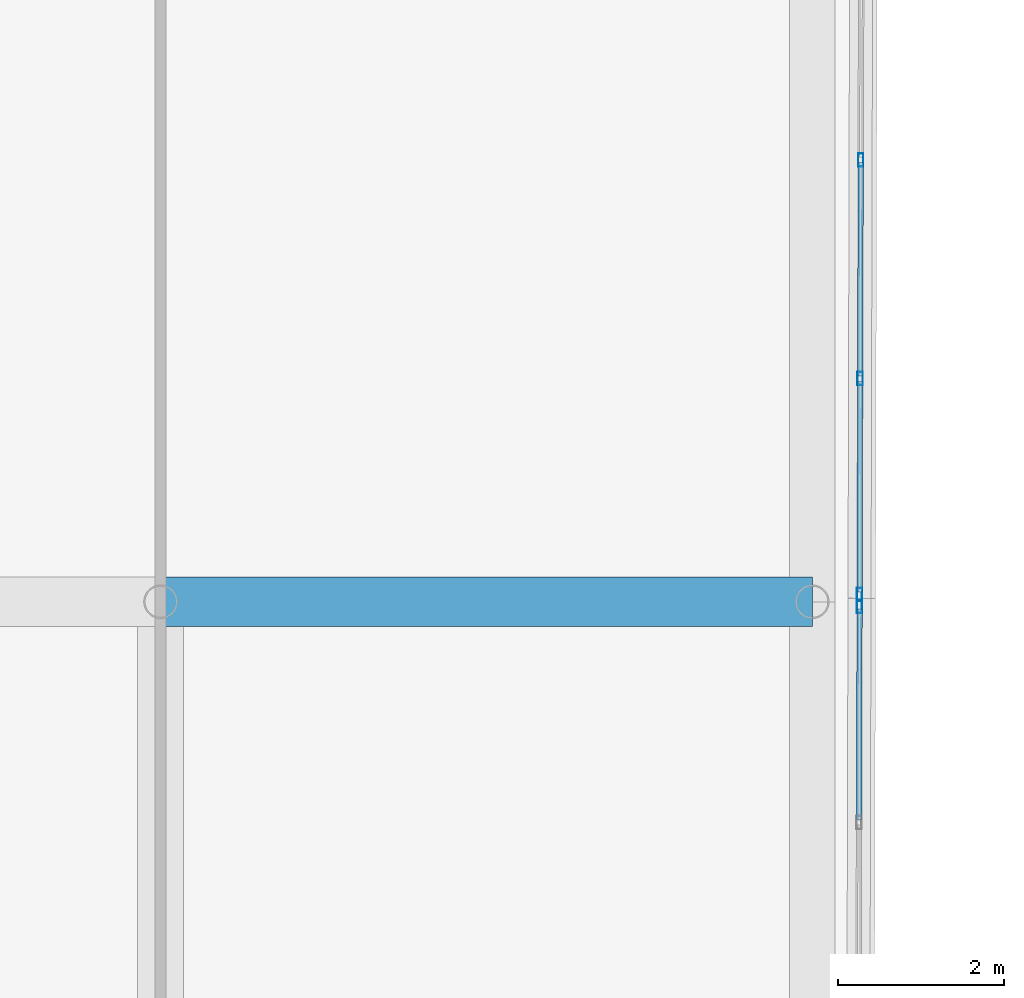
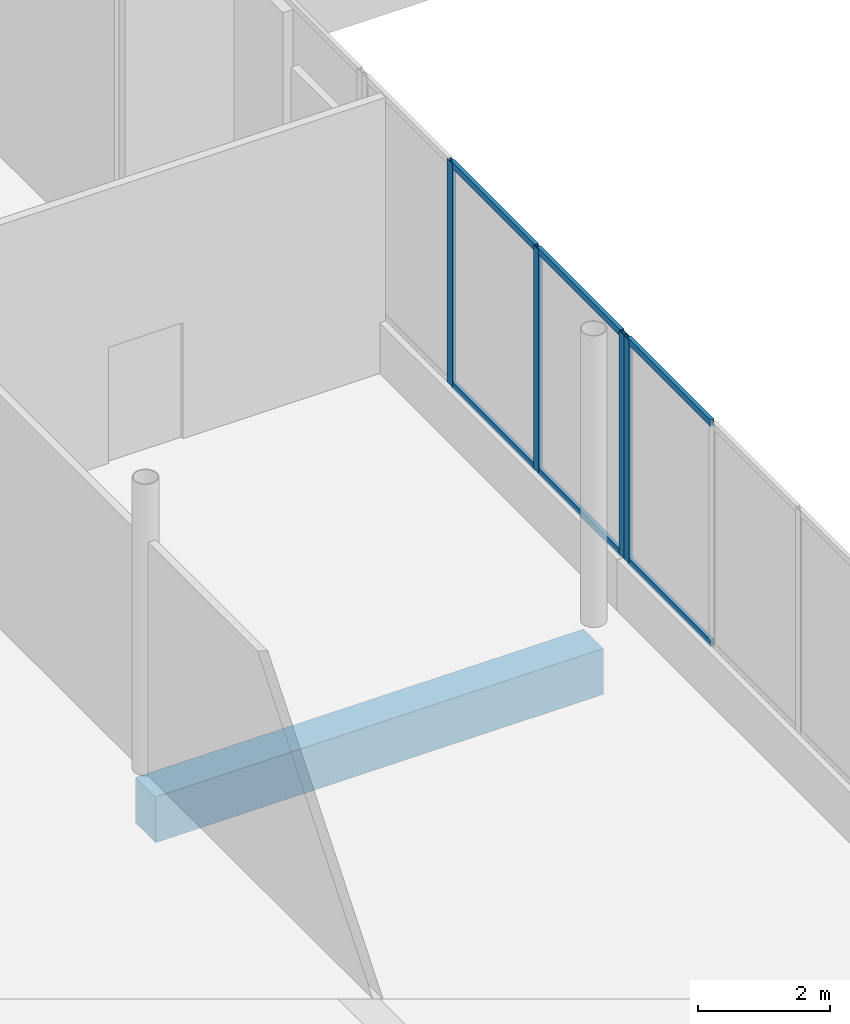
# One storey, part 57 of 158: 10 members, 1 beam, 2 elements without a shape of their own.
"""IFC4 building model written with IfcOpenShell, lengths in metres."""

from ifc_helpers import new_model, si_unit, direction, frame, origin, origin_2d, place, context, subcontext, project, spatial, rectangle, hollow_rectangle, extrude, material, material_profile, profile_set, type_object, element, aggregate, save


model = new_model("IFC4")

# Units and contexts
model_context = context("Model", 3, precision=1e-05, world=origin(), true_north=direction((0.0, 1.0)))
body_context = subcontext(model_context, "Body", "Model", "MODEL_VIEW")
ifc_project = project(units=[si_unit("LENGTHUNIT", "METRE"), si_unit("AREAUNIT", "SQUARE_METRE"), si_unit("VOLUMEUNIT", "CUBIC_METRE"), si_unit("PLANEANGLEUNIT", "RADIAN"), si_unit("MASSUNIT", "GRAM", prefix="KILO")], contexts=[model_context])

# Site, building, storey
site_placement = place(None, origin())
site = spatial("IfcSite", under=ifc_project, at=site_placement, CompositionType="ELEMENT")
building_placement = place(site_placement, origin())
building = spatial("IfcBuilding", under=site, at=building_placement, Name="Selatvlak General Hospital", CompositionType="ELEMENT")
storey_placement = place(building_placement, origin())
storey = spatial("IfcBuildingStorey", under=building, at=storey_placement, Name="L00", CompositionType="ELEMENT", Elevation=0.0)

# Beam
ifc_material_1 = material(Name="Concrete C40/50", Category="concrete")
ifc_material_profile_1 = material_profile(ifc_material_1, rectangle(XDim=0.60009765625, YDim=0.85009765625, at=origin_2d()), Name="RC-BM 600x850")
ifc_profile_set_1 = profile_set([ifc_material_profile_1], Name="Concrete C40/50")
beam_type = type_object("IfcBeamType", Name="BM-G01", PredefinedType="BEAM", material=ifc_profile_set_1)
beam_placement = place(storey_placement, frame((73.199951171875, 68.0, -0.77490234375), z_axis=(1.0, 0.0, 0.0), x_axis=(0.0, 1.0, 0.0)))
element("IfcBeam", 1, at=beam_placement, inside=storey, type_object=beam_type, Name="Beam BMR-L00-0022", PredefinedType="BEAM", context=body_context, shape_type="SweptSolid", body=[
    extrude(rectangle(XDim=0.60009765625, YDim=0.85009765625, at=origin_2d()), origin(), (0.0, 0.0, 1.0), 7.85009765625),
])

# Curtain wall, members
ifc_material_2 = material(Name="Solar-control Low-E double glazing", Category="glass")
curtain_wall_type_1 = type_object("IfcCurtainWallType", Name="CW-CW-01", PredefinedType="USERDEFINED", material=ifc_material_2)
curtain_wall_1_placement = place(storey_placement, origin())
curtain_wall_1 = element("IfcCurtainWall", 2, at=curtain_wall_1_placement, inside=storey, type_object=curtain_wall_type_1, Name="Glazed facade curtain wall CW-L00-0106", ObjectType="UNITISED CURTAIN WALL", PredefinedType="USERDEFINED")
ifc_material_3 = material(Name="Dark anodised aluminium mullion", Category="aluminium")
ifc_material_profile_2 = material_profile(ifc_material_3, hollow_rectangle(XDim=0.06494140625, YDim=0.159912109375, WallThickness=0.00390625, at=origin_2d()), Name="AL-MUL 65x160x4")
ifc_profile_set_2 = profile_set([ifc_material_profile_2], Name="Dark anodised aluminium mullion")
member_type_1 = type_object("IfcMemberType", Name="CWM-01", PredefinedType="MULLION", material=ifc_profile_set_2)
member_1_placement = place(storey_placement, frame((81.63330078125, 73.32177734375, 0.93994140625), z_axis=(0.0, 0.0, 1.0), x_axis=(0.999996795401, -0.002531637448, 0.0)))
member_1 = element("IfcMember", 3, at=member_1_placement, type_object=member_type_1, Name="CW-01 mullion 2", PredefinedType="MULLION", context=body_context, shape_type="SweptSolid", body=[
    extrude(hollow_rectangle(XDim=0.06494140625, YDim=0.159912109375, WallThickness=0.00390625, at=origin_2d()), origin(), (0.0, 0.0, 1.0), 4.14013671875),
])
member_2_placement = place(storey_placement, frame((81.626708984375, 70.688232421875, 0.93994140625), z_axis=(0.0, 0.0, 1.0), x_axis=(0.999996795401, -0.002531637448, 0.0)))
member_2 = element("IfcMember", 4, at=member_2_placement, type_object=member_type_1, Name="CW-01 mullion 3", PredefinedType="MULLION", context=body_context, shape_type="SweptSolid", body=[
    extrude(hollow_rectangle(XDim=0.06494140625, YDim=0.159912109375, WallThickness=0.00390625, at=origin_2d()), origin(), (0.0, 0.0, 1.0), 4.14013671875),
])
member_3_placement = place(storey_placement, frame((81.6201171875, 68.08740234375, 0.93994140625), z_axis=(0.0, 0.0, 1.0), x_axis=(0.999996795401, -0.002531637448, 0.0)))
member_3 = element("IfcMember", 5, at=member_3_placement, type_object=member_type_1, Name="CW-01 mullion 4", PredefinedType="MULLION", context=body_context, shape_type="SweptSolid", body=[
    extrude(hollow_rectangle(XDim=0.06494140625, YDim=0.159912109375, WallThickness=0.00390625, at=origin_2d()), origin(), (0.0, 0.0, 1.0), 4.14013671875),
])

# Curtain wall, member
curtain_wall_type_2 = type_object("IfcCurtainWallType", Name="CW-CW-02", PredefinedType="USERDEFINED", material=ifc_material_2)
curtain_wall_2_placement = place(storey_placement, origin())
curtain_wall_2 = element("IfcCurtainWall", 6, at=curtain_wall_2_placement, inside=storey, type_object=curtain_wall_type_2, Name="Glazed facade curtain wall CW-L00-0107", ObjectType="UNITISED CURTAIN WALL", PredefinedType="USERDEFINED")
member_4_placement = place(storey_placement, frame((81.619873046875, 67.9423828125, 0.93994140625), z_axis=(0.0, 0.0, 1.0), x_axis=(0.999996795401, -0.002531637448, 0.0)))
member_4 = element("IfcMember", 7, at=member_4_placement, type_object=member_type_1, Name="CW-02 mullion 1", PredefinedType="MULLION", context=body_context, shape_type="SweptSolid", body=[
    extrude(hollow_rectangle(XDim=0.06494140625, YDim=0.159912109375, WallThickness=0.00390625, at=origin_2d()), origin(), (0.0, 0.0, 1.0), 4.14013671875),
])

# Member
ifc_material_profile_3 = material_profile(ifc_material_3, hollow_rectangle(XDim=0.06494140625, YDim=0.1201171875, WallThickness=0.00390625, at=origin_2d()), Name="AL-TRN 65x120x4")
ifc_profile_set_3 = profile_set([ifc_material_profile_3], Name="Dark anodised aluminium mullion")
member_type_2 = type_object("IfcMemberType", Name="CWT-01", PredefinedType="USERDEFINED", material=ifc_profile_set_3)
member_5_placement = place(storey_placement, frame((81.63330078125, 73.2890625, 0.972412109375), z_axis=(-0.002566775459, -0.999996705826, 0.0), x_axis=(0.999996705826, -0.002566775459, 0.0)))
member_5 = element("IfcMember", 8, at=member_5_placement, type_object=member_type_2, Name="CW-01 transom 2.1", ObjectType="TRANSOM", PredefinedType="USERDEFINED", context=body_context, shape_type="SweptSolid", body=[
    extrude(hollow_rectangle(XDim=0.06494140625, YDim=0.1201171875, WallThickness=0.00390625, at=origin_2d()), origin(), (0.0, 0.0, 1.0), 2.568115234375),
])

member_6_placement = place(storey_placement, frame((81.63330078125, 73.2890625, 5.047607421875), z_axis=(-0.002566775459, -0.999996705826, 0.0), x_axis=(0.999996705826, -0.002566775459, 0.0)))
member_6 = element("IfcMember", 9, at=member_6_placement, type_object=member_type_2, Name="CW-01 transom 2.2", ObjectType="TRANSOM", PredefinedType="USERDEFINED", context=body_context, shape_type="SweptSolid", body=[
    extrude(hollow_rectangle(XDim=0.06494140625, YDim=0.1201171875, WallThickness=0.00390625, at=origin_2d()), origin(), (0.0, 0.0, 1.0), 2.568115234375),
])

member_7_placement = place(storey_placement, frame((81.62646484375, 70.65576171875, 0.972412109375), z_axis=(-0.002503362077, -0.999996866584, 0.0), x_axis=(0.999996866584, -0.002503362077, 0.0)))
member_7 = element("IfcMember", 10, at=member_7_placement, type_object=member_type_2, Name="CW-01 transom 3.1", ObjectType="TRANSOM", PredefinedType="USERDEFINED", context=body_context, shape_type="SweptSolid", body=[
    extrude(hollow_rectangle(XDim=0.06494140625, YDim=0.1201171875, WallThickness=0.00390625, at=origin_2d()), origin(), (0.0, 0.0, 1.0), 2.53564453125),
])

member_8_placement = place(storey_placement, frame((81.62646484375, 70.65576171875, 5.047607421875), z_axis=(-0.002503362077, -0.999996866584, 0.0), x_axis=(0.999996866584, -0.002503362077, 0.0)))
member_8 = element("IfcMember", 11, at=member_8_placement, type_object=member_type_2, Name="CW-01 transom 3.2", ObjectType="TRANSOM", PredefinedType="USERDEFINED", context=body_context, shape_type="SweptSolid", body=[
    extrude(hollow_rectangle(XDim=0.06494140625, YDim=0.1201171875, WallThickness=0.00390625, at=origin_2d()), origin(), (0.0, 0.0, 1.0), 2.53564453125),
])

aggregate(curtain_wall_1, [member_1, member_2, member_3, member_5, member_6, member_7, member_8])

member_9_placement = place(storey_placement, frame((81.619873046875, 67.909912109375, 0.972412109375), z_axis=(-0.002503362077, -0.999996866584, 0.0), x_axis=(0.999996866584, -0.002503362077, 0.0)))
member_9 = element("IfcMember", 12, at=member_9_placement, type_object=member_type_2, Name="CW-02 transom 1.1", ObjectType="TRANSOM", PredefinedType="USERDEFINED", context=body_context, shape_type="SweptSolid", body=[
    extrude(hollow_rectangle(XDim=0.06494140625, YDim=0.1201171875, WallThickness=0.00390625, at=origin_2d()), origin(), (0.0, 0.0, 1.0), 2.53564453125),
])

member_10_placement = place(storey_placement, frame((81.619873046875, 67.909912109375, 5.047607421875), z_axis=(-0.002503362077, -0.999996866584, 0.0), x_axis=(0.999996866584, -0.002503362077, 0.0)))
member_10 = element("IfcMember", 13, at=member_10_placement, type_object=member_type_2, Name="CW-02 transom 1.2", ObjectType="TRANSOM", PredefinedType="USERDEFINED", context=body_context, shape_type="SweptSolid", body=[
    extrude(hollow_rectangle(XDim=0.06494140625, YDim=0.1201171875, WallThickness=0.00390625, at=origin_2d()), origin(), (0.0, 0.0, 1.0), 2.53564453125),
])

aggregate(curtain_wall_2, [member_4, member_9, member_10])

save(model, "model.ifc")
